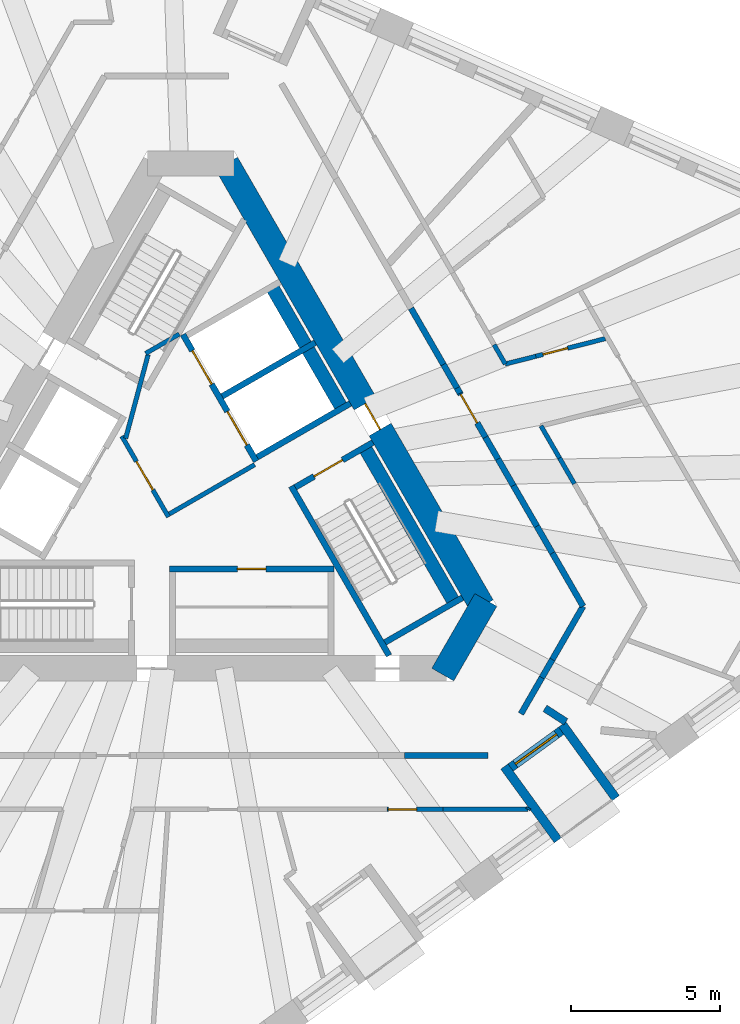
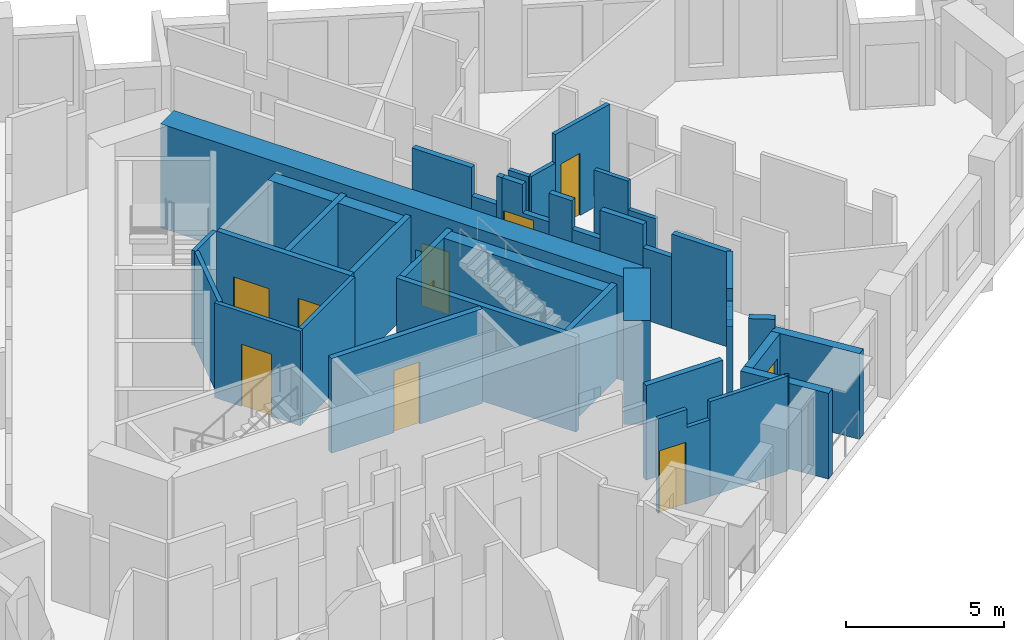
# One storey, part 5 of 14: 40 walls, 10 doors, 10 openings.
"""IFC4 building model written with IfcOpenShell, lengths in metres."""

from ifc_helpers import new_model, si_unit, direction, frame, frame_2d, origin, place, context, subcontext, project, spatial, polyline, rectangle, outline, extrude, material, layer, layer_set, type_object, element, fill, save


model = new_model("IFC4")

# Units and contexts
model_context = context("Model", 3, precision=1e-05, world=origin(), true_north=direction((0.0, 1.0)))
body_context = subcontext(model_context, "Body", "Model", "MODEL_VIEW")
ifc_project = project(units=[si_unit("LENGTHUNIT", "METRE"), si_unit("AREAUNIT", "SQUARE_METRE"), si_unit("VOLUMEUNIT", "CUBIC_METRE"), si_unit("PLANEANGLEUNIT", "RADIAN"), si_unit("MASSUNIT", "GRAM", prefix="KILO")], contexts=[model_context])

# Site, building, storey
site_placement = place(None, origin())
site = spatial("IfcSite", under=ifc_project, at=site_placement, CompositionType="ELEMENT")
building_placement = place(site_placement, origin())
building = spatial("IfcBuilding", under=site, at=building_placement, Name="Tramontana Tower", CompositionType="ELEMENT")
storey_placement = place(building_placement, frame((0.0, 0.0, 186.800048828125)))
storey = spatial("IfcBuildingStorey", under=building, at=storey_placement, Name="L43", CompositionType="ELEMENT", Elevation=186.800048828125)

# Wall
ifc_material_1 = material(Name="Concrete 70 MPa", Category="concrete")
ifc_layer_1 = layer(ifc_material_1, 0.85009765625)
ifc_layer_set_1 = layer_set([ifc_layer_1], Name="Core wall 850 70 MPa")
wall_type_1 = type_object("IfcWallType", Name="Core wall 850 70 MPa", PredefinedType="SHEAR", material=ifc_layer_set_1)
wall_1_placement = place(storey_placement, frame((8.4365234375, -6.53759765625, 0.0), z_axis=(0.0, 0.0, 1.0), x_axis=(0.499995765644, 0.866027848477, 0.0)))
element("IfcWall", 1, at=wall_1_placement, inside=storey, type_object=wall_type_1, Name="Core wall C4 L43", PredefinedType="SHEAR", context=body_context, shape_type="SweptSolid", body=[
    extrude(rectangle(XDim=2.88671875, YDim=0.85009765625, at=frame_2d((1.443359375, 0.0))), origin(), (0.0, 0.0, 1.0), 4.0),
])

# Wall, opening, door
wall_2_placement = place(storey_placement, frame((9.757080078125, -4.25, 0.0), z_axis=(0.0, 0.0, 1.0), x_axis=(-0.499995289315, 0.866028123483, 0.0)))
wall_2 = element("IfcWall", 2, at=wall_2_placement, inside=storey, type_object=wall_type_1, Name="Core wall C5 L43", PredefinedType="SHEAR", context=body_context, shape_type="SweptSolid", body=[
    extrude(rectangle(XDim=17.118408203125, YDim=0.85009765625, at=frame_2d((8.55908203125, 0.0))), origin(), (0.0, 0.0, 1.0), 4.0),
])
opening_1_placement = place(wall_2_placement, frame((6.834228515625, 0.0, 0.0)))
opening_1 = element("IfcOpeningElement", 3, at=opening_1_placement, cuts=wall_2, Name="Opening RG3", PredefinedType="OPENING", context=body_context, shape_type="SweptSolid", body=[
    extrude(rectangle(XDim=1.0, YDim=2.39990234375, at=frame_2d((0.5, 1.199951171875))), frame((0.0, 0.43505859375, 0.0), z_axis=(0.0, -1.0, 0.0), x_axis=(1.0, 0.0, 0.0)), (0.0, 0.0, 1.0), 0.8701171875),
])
ifc_material_2 = material(Name="Painted steel", Category="steel")
door_type_1 = type_object("IfcDoorType", Name="RING DOOR 1000", OperationType="SINGLE_SWING_LEFT", PredefinedType="DOOR", material=ifc_material_2)
door_1_placement = place(opening_1_placement, origin())
door_1 = element("IfcDoor", 4, at=door_1_placement, inside=storey, type_object=door_type_1, Name="Door RG3", OperationType="SINGLE_SWING_RIGHT", OverallHeight=2.39990234375, OverallWidth=1.0, PredefinedType="DOOR", context=body_context, shape_type="SweptSolid", body=[
    extrude(rectangle(XDim=1.0, YDim=2.39990234375, at=frame_2d((0.5, 1.199951171875))), frame((0.0, 0.02490234375, 0.0), z_axis=(0.0, -1.0, 0.0), x_axis=(1.0, 0.0, 0.0)), (0.0, 0.0, 1.0), 0.050048828125),
])
fill(opening_1, door_1)

# Walls
ifc_material_3 = material(Name="Blockwork", Category="masonry")
ifc_layer_2 = layer(ifc_material_3, 0.199951171875)
ifc_layer_set_2 = layer_set([ifc_layer_2], Name="ENTRY WALL 200")
wall_type_2 = type_object("IfcWallType", Name="ENTRY WALL 200", PredefinedType="SOLIDWALL", material=ifc_layer_set_2)
wall_3_placement = place(storey_placement, frame((7.37548828125, 5.725341796875, 0.0), z_axis=(0.0, 0.0, 1.0), x_axis=(0.499975720793, -0.866039420937, 0.0)))
element("IfcWall", 5, at=wall_3_placement, inside=storey, type_object=wall_type_2, Name="Wall v42-ew0-4", PredefinedType="SOLIDWALL", context=body_context, shape_type="SweptSolid", body=[
    extrude(rectangle(XDim=2.16943359375, YDim=0.199951171875, at=frame_2d((1.084716796875, 0.0))), origin(), (0.0, 0.0, 1.0), 3.64990234375),
])
wall_4_placement = place(storey_placement, frame((8.460205078125, 3.846435546875, 0.0), z_axis=(0.0, 0.0, 1.0), x_axis=(0.499977996243, -0.866038107287, 0.0)))
element("IfcWall", 6, at=wall_4_placement, inside=storey, type_object=wall_type_2, Name="Wall v42-ew0-5", PredefinedType="SOLIDWALL", context=body_context, shape_type="SweptSolid", body=[
    extrude(rectangle(XDim=0.90966796875, YDim=0.199951171875, at=frame_2d((0.454833984375, 0.0))), origin(), (0.0, 0.0, 1.0), 2.550048828125),
])
wall_5_placement = place(storey_placement, frame((8.9150390625, 3.05859375, 0.0), z_axis=(0.0, 0.0, 1.0), x_axis=(0.500074377092, -0.865982457891, 0.0)))
element("IfcWall", 7, at=wall_5_placement, inside=storey, type_object=wall_type_2, Name="Wall v42-ew0-6", PredefinedType="SOLIDWALL", context=body_context, shape_type="SweptSolid", body=[
    extrude(rectangle(XDim=0.2001953125, YDim=0.199951171875, at=frame_2d((0.10009765625, 0.0))), origin(), (0.0, 0.0, 1.0), 3.64990234375),
])

# Wall, opening, door
wall_6_placement = place(storey_placement, frame((9.01513671875, 2.88525390625, 0.0), z_axis=(0.0, 0.0, 1.0), x_axis=(0.500036553983, -0.866004298304, 0.0)))
wall_6 = element("IfcWall", 8, at=wall_6_placement, inside=storey, type_object=wall_type_2, Name="Wall v42-ew0-7", PredefinedType="SOLIDWALL", context=body_context, shape_type="SweptSolid", body=[
    extrude(outline(polyline([(0.0, 0.0), (1.704345703125, 0.0), (1.7041015625, 2.550048828125), (0.750732421875, 2.550048828125), (0.750732421875, 3.64990234375), (0.0, 3.64990234375), (0.0, 0.0)])), frame((0.0, 0.10009765625, 0.0), z_axis=(0.0, -1.0, 0.0), x_axis=(1.0, 0.0, 0.0)), (0.0, 0.0, 1.0), 0.199951171875),
])
opening_2_placement = place(wall_6_placement, frame((0.050048828125, 0.0, 0.0)))
opening_2 = element("IfcOpeningElement", 9, at=opening_2_placement, cuts=wall_6, Name="Opening B4C-21", PredefinedType="OPENING", context=body_context, shape_type="SweptSolid", body=[
    extrude(rectangle(XDim=1.10009765625, YDim=2.39990234375, at=frame_2d((0.550048828125, 1.199951171875))), frame((0.0, 0.10986328125, 0.0), z_axis=(0.0, -1.0, 0.0), x_axis=(1.0, 0.0, 0.0)), (0.0, 0.0, 1.0), 0.219970703125),
])
ifc_material_4 = material(Name="Painted timber", Category="wood")
door_type_2 = type_object("IfcDoorType", Name="DOOR ENTRY 1100", OperationType="SINGLE_SWING_LEFT", PredefinedType="DOOR", material=ifc_material_4)
door_2_placement = place(opening_2_placement, origin())
door_2 = element("IfcDoor", 10, at=door_2_placement, inside=storey, type_object=door_type_2, Name="Door B4C-21", OperationType="SINGLE_SWING_LEFT", OverallHeight=2.39990234375, OverallWidth=1.10009765625, PredefinedType="DOOR", context=body_context, shape_type="SweptSolid", body=[
    extrude(rectangle(XDim=1.10009765625, YDim=2.39990234375, at=frame_2d((0.550048828125, 1.199951171875))), frame((0.0, 0.02490234375, 0.0), z_axis=(0.0, -1.0, 0.0), x_axis=(1.0, 0.0, 0.0)), (0.0, 0.0, 1.0), 0.050048828125),
])
fill(opening_2, door_2)

# Walls
wall_7_placement = place(storey_placement, frame((9.867431640625, 1.4091796875, 0.0), z_axis=(0.0, 0.0, 1.0), x_axis=(0.499822960955, -0.8661275932, 0.0)))
element("IfcWall", 11, at=wall_7_placement, inside=storey, type_object=wall_type_2, Name="Wall v42-ew0-8", PredefinedType="SOLIDWALL", context=body_context, shape_type="SweptSolid", body=[
    extrude(rectangle(XDim=0.841064453125, YDim=0.199951171875, at=frame_2d((0.42041015625, 0.0))), origin(), (0.0, 0.0, 1.0), 3.64990234375),
])
wall_8_placement = place(storey_placement, frame((10.287841796875, 0.6806640625, 0.0), z_axis=(0.0, 0.0, 1.0), x_axis=(0.500079402778, -0.865979555715, 0.0)))
element("IfcWall", 12, at=wall_8_placement, inside=storey, type_object=wall_type_2, Name="Wall v42-ew0-9", PredefinedType="SOLIDWALL", context=body_context, shape_type="SweptSolid", body=[
    extrude(rectangle(XDim=1.026123046875, YDim=0.199951171875, at=frame_2d((0.51318359375, 0.0))), origin(), (0.0, 0.0, 1.0), 2.550048828125),
])
wall_9_placement = place(storey_placement, frame((10.801025390625, -0.2080078125, 0.0), z_axis=(0.0, 0.0, 1.0), x_axis=(0.500031717574, -0.86600709086, 0.0)))
element("IfcWall", 13, at=wall_9_placement, inside=storey, type_object=wall_type_2, Name="Wall v42-ew0-10", PredefinedType="SOLIDWALL", context=body_context, shape_type="SweptSolid", body=[
    extrude(rectangle(XDim=1.57177734375, YDim=0.199951171875, at=frame_2d((0.785888671875, 0.0))), origin(), (0.0, 0.0, 1.0), 3.64990234375),
])
wall_10_placement = place(storey_placement, frame((11.5869140625, -1.569091796875, 0.0), z_axis=(0.0, 0.0, 1.0), x_axis=(0.500054530113, -0.86599391852, 0.0)))
element("IfcWall", 14, at=wall_10_placement, inside=storey, type_object=wall_type_2, Name="Wall v42-ew0-11", PredefinedType="SOLIDWALL", context=body_context, shape_type="SweptSolid", body=[
    extrude(rectangle(XDim=1.03955078125, YDim=0.199951171875, at=frame_2d((0.519775390625, 0.0))), origin(), (0.0, 0.0, 1.0), 2.75),
])
wall_11_placement = place(storey_placement, frame((12.106689453125, -2.46923828125, 0.0), z_axis=(0.0, 0.0, 1.0), x_axis=(0.499982825521, -0.866035319247, 0.0)))
element("IfcWall", 15, at=wall_11_placement, inside=storey, type_object=wall_type_2, Name="Wall v42-ew0-12", PredefinedType="SOLIDWALL", context=body_context, shape_type="SweptSolid", body=[
    extrude(rectangle(XDim=2.05615234375, YDim=0.199951171875, at=frame_2d((1.028076171875, 0.0))), origin(), (0.0, 0.0, 1.0), 3.64990234375),
])
wall_12_placement = place(storey_placement, frame((13.134765625, -4.25, 0.0), z_axis=(0.0, 0.0, 1.0), x_axis=(-0.500030520673, -0.866007781949, 0.0)))
element("IfcWall", 16, at=wall_12_placement, inside=storey, type_object=wall_type_2, Name="Wall v42-ew1-0", PredefinedType="SOLIDWALL", context=body_context, shape_type="SweptSolid", body=[
    extrude(rectangle(XDim=2.057861328125, YDim=0.199951171875, at=frame_2d((1.02880859375, 0.0))), origin(), (0.0, 0.0, 1.0), 3.64990234375),
])
wall_13_placement = place(storey_placement, frame((12.105712890625, -6.0322265625, 0.0), z_axis=(0.0, 0.0, 1.0), x_axis=(-0.49996389635, -0.866046247233, 0.0)))
element("IfcWall", 17, at=wall_13_placement, inside=storey, type_object=wall_type_2, Name="Wall v42-ew1-1", PredefinedType="SOLIDWALL", context=body_context, shape_type="SweptSolid", body=[
    extrude(rectangle(XDim=0.7001953125, YDim=0.199951171875, at=frame_2d((0.35009765625, 0.0))), origin(), (0.0, 0.0, 1.0), 2.949951171875),
])
wall_14_placement = place(storey_placement, frame((11.755615234375, -6.638671875, 0.0), z_axis=(0.0, 0.0, 1.0), x_axis=(-0.49998411664, -0.866034573852, 0.0)))
element("IfcWall", 18, at=wall_14_placement, inside=storey, type_object=wall_type_2, Name="Wall v42-ew1-2", PredefinedType="SOLIDWALL", context=body_context, shape_type="SweptSolid", body=[
    extrude(rectangle(XDim=1.39990234375, YDim=0.199951171875, at=frame_2d((0.699951171875, 0.0))), origin(), (0.0, 0.0, 1.0), 3.64990234375),
])
wall_15_placement = place(storey_placement, frame((9.95166015625, -9.25, 0.0), z_axis=(0.0, 0.0, 1.0), x_axis=(-1.0, 0.0, 0.0)))
element("IfcWall", 19, at=wall_15_placement, inside=storey, type_object=wall_type_2, Name="Wall v42-ew2-0", PredefinedType="SOLIDWALL", context=body_context, shape_type="SweptSolid", body=[
    extrude(rectangle(XDim=2.798583984375, YDim=0.199951171875, at=frame_2d((1.3994140625, 0.0))), origin(), (0.0, 0.0, 1.0), 3.64990234375),
])

# Wall, opening, door
ifc_material_5 = material(Name="Precast concrete 60 MPa", Category="concrete")
ifc_layer_3 = layer(ifc_material_5, 0.300048828125)
ifc_layer_set_3 = layer_set([ifc_layer_3], Name="LW1 Stone-faced loggia wall 300")
wall_type_3 = type_object("IfcWallType", Name="LW1 Stone-faced loggia wall 300", PredefinedType="SOLIDWALL", material=ifc_layer_set_3)
wall_16_placement = place(storey_placement, frame((10.710205078125, -9.647216796875, 0.0), z_axis=(0.0, 0.0, 1.0), x_axis=(0.808972932648, 0.587845893277, 0.0)))
wall_16 = element("IfcWall", 20, at=wall_16_placement, inside=storey, type_object=wall_type_3, Name="Loggia wall L43 G4S1.10", PredefinedType="SOLIDWALL", context=body_context, shape_type="SweptSolid", body=[
    extrude(rectangle(XDim=2.094482421875, YDim=0.300048828125, at=frame_2d((1.04736328125, 0.0))), origin(), (0.0, 0.0, 1.0), 3.300048828125),
])
opening_3_placement = place(wall_16_placement, frame((0.197265625, 0.0, 0.0)))
opening_3 = element("IfcOpeningElement", 21, at=opening_3_placement, cuts=wall_16, Name="Opening BD-4S1-10", PredefinedType="OPENING", context=body_context, shape_type="SweptSolid", body=[
    extrude(rectangle(XDim=1.699951171875, YDim=2.449951171875, at=frame_2d((0.85009765625, 1.22509765625))), frame((0.0, 0.159912109375, 0.0), z_axis=(0.0, -1.0, 0.0), x_axis=(1.0, 0.0, 0.0)), (0.0, 0.0, 1.0), 0.320068359375),
])
ifc_material_6 = material(Name="Aluminum frame, double glazing unit", Category="aluminium")
door_type_3 = type_object("IfcDoorType", Name="BD2 Sliding door 1.7 x 2.45", OperationType="SLIDING_TO_LEFT", PredefinedType="DOOR", material=ifc_material_6)
door_3_placement = place(opening_3_placement, origin())
door_3 = element("IfcDoor", 22, at=door_3_placement, inside=storey, type_object=door_type_3, Name="Loggia door L43 G4S1.10", OperationType="SLIDING_TO_LEFT", OverallHeight=2.449951171875, OverallWidth=1.699951171875, PredefinedType="DOOR", context=body_context, shape_type="SweptSolid", body=[
    extrude(rectangle(XDim=1.699951171875, YDim=2.449951171875, at=frame_2d((0.85009765625, 1.22509765625))), frame((0.0, 0.02490234375, 0.0), z_axis=(0.0, -1.0, 0.0), x_axis=(1.0, 0.0, 0.0)), (0.0, 0.0, 1.0), 0.050048828125),
])
fill(opening_3, door_3)

# Walls
for number, where, z_axis, x_axis, name in (
    (23, (12.29345703125, -12.08154296875, 0.0), (0.0, 0.0, 1.0), (-0.587776590479, 0.80902328748, 0.0), "Loggia return L43 G4S1.10a"),
    (24, (14.23046875, -10.674072265625, 0.0), (0.0, 0.0, 1.0), (-0.587776590479, 0.80902328748, 0.0), "Loggia return L43 G4S1.10b"),
):
    element("IfcWall", number, at=place(storey_placement, frame(where, z_axis=z_axis, x_axis=x_axis)), inside=storey, type_object=wall_type_3, Name=name, PredefinedType="SOLIDWALL", context=body_context, shape_type="SweptSolid", body=[
        extrude(rectangle(XDim=3.050048828125, YDim=0.300048828125, at=frame_2d((1.52490234375, 0.0))), origin(), (0.0, 0.0, 1.0), 3.300048828125),
    ])

# Wall, opening, door
ifc_material_7 = material(Name="Gypsum board partition")
ifc_layer_4 = layer(ifc_material_7, 0.14990234375)
ifc_layer_set_4 = layer_set([ifc_layer_4], Name="PARTITION 150")
wall_type_4 = type_object("IfcWallType", Name="PARTITION 150", PredefinedType="PARTITIONING", material=ifc_layer_set_4)
wall_17_placement = place(storey_placement, frame((-0.744140625, -1.260986328125, 0.0), z_axis=(0.0, 0.0, 1.0), x_axis=(-0.500004234368, 0.866022959057, 0.0)))
wall_17 = element("IfcWall", 25, at=wall_17_placement, inside=storey, type_object=wall_type_4, Name="Wall ff-front", PredefinedType="PARTITIONING", context=body_context, shape_type="SweptSolid", body=[
    extrude(rectangle(XDim=3.125, YDim=0.14990234375, at=frame_2d((1.5625, 0.0))), origin(), (0.0, 0.0, 1.0), 3.64990234375),
])
opening_4_placement = place(wall_17_placement, frame((1.050048828125, 0.0, 0.0)))
opening_4 = element("IfcOpeningElement", 26, at=opening_4_placement, cuts=wall_17, Name="Opening FD1", PredefinedType="OPENING", context=body_context, shape_type="SweptSolid", body=[
    extrude(rectangle(XDim=1.10009765625, YDim=2.39990234375, at=frame_2d((0.550048828125, 1.199951171875))), frame((0.0, 0.0849609375, 0.0), z_axis=(0.0, -1.0, 0.0), x_axis=(1.0, 0.0, 0.0)), (0.0, 0.0, 1.0), 0.169921875),
])
door_4_placement = place(opening_4_placement, origin())
door_4 = element("IfcDoor", 27, at=door_4_placement, inside=storey, type_object=door_type_2, Name="Door FD1", OperationType="SINGLE_SWING_LEFT", OverallHeight=2.39990234375, OverallWidth=1.10009765625, PredefinedType="DOOR", context=body_context, shape_type="SweptSolid", body=[
    extrude(rectangle(XDim=1.10009765625, YDim=2.39990234375, at=frame_2d((0.550048828125, 1.199951171875))), frame((0.0, 0.02490234375, 0.0), z_axis=(0.0, -1.0, 0.0), x_axis=(1.0, 0.0, 0.0)), (0.0, 0.0, 1.0), 0.050048828125),
])
fill(opening_4, door_4)

# Walls
wall_18_placement = place(storey_placement, frame((-0.716796875, -1.15869140625, 0.0), z_axis=(0.0, 0.0, 1.0), x_axis=(0.866008176907, 0.50002983664, 0.0)))
element("IfcWall", 28, at=wall_18_placement, inside=storey, type_object=wall_type_4, Name="Wall ff-end0", PredefinedType="PARTITIONING", context=body_context, shape_type="SweptSolid", body=[
    extrude(rectangle(XDim=3.300048828125, YDim=0.14990234375, at=frame_2d((1.64990234375, 0.0))), origin(), (0.0, 0.0, 1.0), 3.64990234375),
])
wall_19_placement = place(storey_placement, frame((-2.177978515625, 1.372314453125, 0.0), z_axis=(0.0, 0.0, 1.0), x_axis=(0.258808958833, 0.96592852884, 0.0)))
element("IfcWall", 29, at=wall_19_placement, inside=storey, type_object=wall_type_4, Name="Wall ff-diag", PredefinedType="PARTITIONING", context=body_context, shape_type="SweptSolid", body=[
    extrude(rectangle(XDim=2.902587890625, YDim=0.14990234375, at=frame_2d((1.451171875, 0.0))), origin(), (0.0, 0.0, 1.0), 3.64990234375),
])
wall_20_placement = place(storey_placement, frame((-1.509765625, 4.21484375, 0.0), z_axis=(0.0, 0.0, 1.0), x_axis=(0.866085525409, 0.49989585183, 0.0)))
element("IfcWall", 30, at=wall_20_placement, inside=storey, type_object=wall_type_4, Name="Wall ff-end1", PredefinedType="PARTITIONING", context=body_context, shape_type="SweptSolid", body=[
    extrude(rectangle(XDim=1.300048828125, YDim=0.14990234375, at=frame_2d((0.64990234375, 0.0))), origin(), (0.0, 0.0, 1.0), 3.64990234375),
])
wall_21_placement = place(storey_placement, frame((10.1572265625, 4.50732421875, 0.0), z_axis=(0.0, 0.0, 1.0), x_axis=(0.499901701094, -0.866082149246, 0.0)))
element("IfcWall", 31, at=wall_21_placement, inside=storey, type_object=wall_type_4, Name="Wall v42-pw26-5", PredefinedType="PARTITIONING", context=body_context, shape_type="SweptSolid", body=[
    extrude(rectangle(XDim=0.746826171875, YDim=0.14990234375, at=frame_2d((0.37353515625, 0.0))), origin(), (0.0, 0.0, 1.0), 2.550048828125),
])
wall_22_placement = place(storey_placement, frame((10.530517578125, 3.860595703125, 0.0), z_axis=(0.0, 0.0, 1.0), x_axis=(0.969236906861, 0.246129677973, 0.0)))
element("IfcWall", 32, at=wall_22_placement, inside=storey, type_object=wall_type_4, Name="Wall v42-pw29-0", PredefinedType="PARTITIONING", context=body_context, shape_type="SweptSolid", body=[
    extrude(rectangle(XDim=1.054443359375, YDim=0.14990234375, at=frame_2d((0.52734375, 0.0))), origin(), (0.0, 0.0, 1.0), 2.550048828125),
])

# Wall, opening, door
wall_23_placement = place(storey_placement, frame((11.552490234375, 4.1201171875, 0.0), z_axis=(0.0, 0.0, 1.0), x_axis=(0.969232309968, 0.246147779423, 0.0)))
wall_23 = element("IfcWall", 33, at=wall_23_placement, inside=storey, type_object=wall_type_4, Name="Wall v42-pw29-1", PredefinedType="PARTITIONING", context=body_context, shape_type="SweptSolid", body=[
    extrude(rectangle(XDim=2.400146484375, YDim=0.14990234375, at=frame_2d((1.2001953125, 0.0))), origin(), (0.0, 0.0, 1.0), 3.64990234375),
])
opening_5_placement = place(wall_23_placement, frame((0.248046875, 0.0, 0.0)))
opening_5 = element("IfcOpeningElement", 34, at=opening_5_placement, cuts=wall_23, Name="Opening B4C-13", PredefinedType="OPENING", context=body_context, shape_type="SweptSolid", body=[
    extrude(rectangle(XDim=0.85009765625, YDim=2.39990234375, at=frame_2d((0.425048828125, 1.199951171875))), frame((0.0, 0.0849609375, 0.0), z_axis=(0.0, -1.0, 0.0), x_axis=(1.0, 0.0, 0.0)), (0.0, 0.0, 1.0), 0.169921875),
])
ifc_material_8 = material(Name="Painted timber", Category="wood")
door_type_4 = type_object("IfcDoorType", Name="DOOR BATH 850", OperationType="SINGLE_SWING_LEFT", PredefinedType="DOOR", material=ifc_material_8)
door_5_placement = place(opening_5_placement, origin())
door_5 = element("IfcDoor", 35, at=door_5_placement, inside=storey, type_object=door_type_4, Name="Door B4C-13", OperationType="SINGLE_SWING_LEFT", OverallHeight=2.39990234375, OverallWidth=0.85009765625, PredefinedType="DOOR", context=body_context, shape_type="SweptSolid", body=[
    extrude(rectangle(XDim=0.85009765625, YDim=2.39990234375, at=frame_2d((0.425048828125, 1.199951171875))), frame((0.0, 0.02490234375, 0.0), z_axis=(0.0, -1.0, 0.0), x_axis=(1.0, 0.0, 0.0)), (0.0, 0.0, 1.0), 0.050048828125),
])
fill(opening_5, door_5)

# Wall
wall_24_placement = place(storey_placement, frame((11.287109375, -11.050048828125, 0.0), z_axis=(0.0, 0.0, 1.0), x_axis=(-1.0, 0.0, 0.0)))
element("IfcWall", 36, at=wall_24_placement, inside=storey, type_object=wall_type_4, Name="Wall v42-pw31-0", PredefinedType="PARTITIONING", context=body_context, shape_type="SweptSolid", body=[
    extrude(rectangle(XDim=2.841552734375, YDim=0.14990234375, at=frame_2d((1.4208984375, 0.0))), origin(), (0.0, 0.0, 1.0), 3.64990234375),
])

# Wall, opening, door
wall_25_placement = place(storey_placement, frame((8.445556640625, -11.050048828125, 0.0), z_axis=(0.0, 0.0, 1.0), x_axis=(-1.0, 0.0, 0.0)))
wall_25 = element("IfcWall", 37, at=wall_25_placement, inside=storey, type_object=wall_type_4, Name="Wall v42-pw31-1", PredefinedType="PARTITIONING", context=body_context, shape_type="SweptSolid", body=[
    extrude(outline(polyline([(0.0, 0.0), (1.880615234375, 0.0), (1.88037109375, 3.64990234375), (0.834228515625, 3.64990234375), (0.834228515625, 2.949951171875), (0.0, 2.949951171875), (0.0, 0.0)])), frame((0.0, 0.074951171875, 0.0), z_axis=(0.0, -1.0, 0.0), x_axis=(1.0, 0.0, 0.0)), (0.0, 0.0, 1.0), 0.14990234375),
])
opening_6_placement = place(wall_25_placement, frame((0.88037109375, 0.0, 0.0)))
opening_6 = element("IfcOpeningElement", 38, at=opening_6_placement, cuts=wall_25, Name="Opening B4C-10", PredefinedType="OPENING", context=body_context, shape_type="SweptSolid", body=[
    extrude(rectangle(XDim=0.949951171875, YDim=2.39990234375, at=frame_2d((0.47509765625, 1.199951171875))), frame((0.0, 0.0849609375, 0.0), z_axis=(0.0, -1.0, 0.0), x_axis=(1.0, 0.0, 0.0)), (0.0, 0.0, 1.0), 0.169921875),
])
ifc_material_9 = material(Name="Painted timber", Category="wood")
door_type_5 = type_object("IfcDoorType", Name="DOOR ROOM 950", OperationType="SINGLE_SWING_LEFT", PredefinedType="DOOR", material=ifc_material_9)
door_6_placement = place(opening_6_placement, origin())
door_6 = element("IfcDoor", 39, at=door_6_placement, inside=storey, type_object=door_type_5, Name="Door B4C-10", OperationType="SINGLE_SWING_RIGHT", OverallHeight=2.39990234375, OverallWidth=0.949951171875, PredefinedType="DOOR", context=body_context, shape_type="SweptSolid", body=[
    extrude(rectangle(XDim=0.949951171875, YDim=2.39990234375, at=frame_2d((0.47509765625, 1.199951171875))), frame((0.0, 0.02490234375, 0.0), z_axis=(0.0, -1.0, 0.0), x_axis=(1.0, 0.0, 0.0)), (0.0, 0.0, 1.0), 0.050048828125),
])
fill(opening_6, door_6)

# Walls
wall_26_placement = place(storey_placement, frame((11.31884765625, -10.995361328125, 0.0), z_axis=(0.0, 0.0, 1.0), x_axis=(-0.500730218626, -0.865603401191, 0.0)))
element("IfcWall", 40, at=wall_26_placement, inside=storey, type_object=wall_type_4, Name="Wall v42-pw32", PredefinedType="PARTITIONING", context=body_context, shape_type="SweptSolid", body=[
    extrude(rectangle(XDim=0.06298828125, YDim=0.14990234375, at=frame_2d((0.031494140625, 0.0))), origin(), (0.0, 0.0, 1.0), 3.64990234375),
])
wall_27_placement = place(storey_placement, frame((11.725341796875, 1.791015625, 0.0), z_axis=(0.0, 0.0, 1.0), x_axis=(0.499983108224, -0.866035156036, 0.0)))
element("IfcWall", 41, at=wall_27_placement, inside=storey, type_object=wall_type_4, Name="Wall v42-pw34-0", PredefinedType="PARTITIONING", context=body_context, shape_type="SweptSolid", body=[
    extrude(rectangle(XDim=1.2431640625, YDim=0.14990234375, at=frame_2d((0.62158203125, 0.0))), origin(), (0.0, 0.0, 1.0), 3.64990234375),
])
wall_28_placement = place(storey_placement, frame((12.346923828125, 0.71435546875, 0.0), z_axis=(0.0, 0.0, 1.0), x_axis=(0.499955472713, -0.866051110099, 0.0)))
element("IfcWall", 42, at=wall_28_placement, inside=storey, type_object=wall_type_4, Name="Wall v42-pw34-1", PredefinedType="PARTITIONING", context=body_context, shape_type="SweptSolid", body=[
    extrude(rectangle(XDim=0.99755859375, YDim=0.14990234375, at=frame_2d((0.498779296875, 0.0))), origin(), (0.0, 0.0, 1.0), 2.550048828125),
])
ifc_material_10 = material(Name="Blockwork", Category="masonry")
ifc_layer_5 = layer(ifc_material_10, 0.25)
ifc_layer_set_5 = layer_set([ifc_layer_5], Name="PARTY WALL 250")
wall_type_5 = type_object("IfcWallType", Name="PARTY WALL 250", PredefinedType="SOLIDWALL", material=ifc_layer_set_5)
wall_29_placement = place(storey_placement, frame((11.85986328125, -7.66650390625, 0.0), z_axis=(0.0, 0.0, 1.0), x_axis=(0.839861138507, -0.542801315424, 0.0)))
element("IfcWall", 43, at=wall_29_placement, inside=storey, type_object=wall_type_5, Name="Wall v42-pw36", PredefinedType="SOLIDWALL", context=body_context, shape_type="SweptSolid", body=[
    extrude(rectangle(XDim=0.83251953125, YDim=0.25, at=frame_2d((0.416259765625, 0.0))), origin(), (0.0, 0.0, 1.0), 3.64990234375),
])
ifc_material_11 = material(Name="Concrete 70 MPa", Category="concrete")
ifc_layer_6 = layer(ifc_material_11, 0.449951171875)
ifc_layer_set_6 = layer_set([ifc_layer_6], Name="Concrete 70 MPa, 450 mm")
wall_type_6 = type_object("IfcWallType", Name="RC SHAFT BACK WALL 450", PredefinedType="SOLIDWALL", material=ifc_layer_set_6)
wall_30_placement = place(storey_placement, frame((8.8681640625, -4.2099609375, 0.0), z_axis=(0.0, 0.0, 1.0), x_axis=(-0.500009909098, 0.866019682689, 0.0)))
element("IfcWall", 44, at=wall_30_placement, inside=storey, type_object=wall_type_6, Name="Wall st3-back", PredefinedType="SOLIDWALL", context=body_context, shape_type="SweptSolid", body=[
    extrude(rectangle(XDim=6.199951171875, YDim=0.449951171875, at=frame_2d((3.10009765625, 0.0))), origin(), (0.0, 0.0, 1.0), 3.64990234375),
])
wall_31_placement = place(storey_placement, frame((5.113037109375, 2.2939453125, 0.0), z_axis=(0.0, 0.0, 1.0), x_axis=(-0.500002801628, 0.866023786258, 0.0)))
element("IfcWall", 45, at=wall_31_placement, inside=storey, type_object=wall_type_6, Name="Wall row2-back", PredefinedType="SOLIDWALL", context=body_context, shape_type="SweptSolid", body=[
    extrude(rectangle(XDim=4.89990234375, YDim=0.449951171875, at=frame_2d((2.449951171875, 0.0))), origin(), (0.0, 0.0, 1.0), 3.64990234375),
])
ifc_material_12 = material(Name="Concrete 70 MPa", Category="concrete")
ifc_layer_7 = layer(ifc_material_12, 0.199951171875)
ifc_layer_set_7 = layer_set([ifc_layer_7], Name="Concrete 70 MPa, 200 mm")
wall_type_7 = type_object("IfcWallType", Name="RC STAIR AND SHAFT WALL 200", PredefinedType="SOLIDWALL", material=ifc_layer_set_7)
wall_32_placement = place(storey_placement, frame((6.6396484375, -5.89990234375, 0.0), z_axis=(0.0, 0.0, 1.0), x_axis=(-0.499999959354, 0.866025427251, 0.0)))
element("IfcWall", 46, at=wall_32_placement, inside=storey, type_object=wall_type_7, Name="Wall st3-front", PredefinedType="SOLIDWALL", context=body_context, shape_type="SweptSolid", body=[
    extrude(rectangle(XDim=6.54931640625, YDim=0.199951171875, at=frame_2d((3.274658203125, 0.0))), origin(), (0.0, 0.0, 1.0), 3.64990234375),
])
wall_33_placement = place(storey_placement, frame((6.50146484375, -5.4609375, 0.0), z_axis=(0.0, 0.0, 1.0), x_axis=(0.866031096941, 0.499990139034, 0.0)))
element("IfcWall", 47, at=wall_33_placement, inside=storey, type_object=wall_type_7, Name="Wall st3-far", PredefinedType="SOLIDWALL", context=body_context, shape_type="SweptSolid", body=[
    extrude(rectangle(XDim=3.0, YDim=0.199951171875, at=frame_2d((1.5, 0.0))), origin(), (0.0, 0.0, 1.0), 3.64990234375),
])

# Wall, opening, door
wall_34_placement = place(storey_placement, frame((3.50146484375, -0.2646484375, 0.0), z_axis=(0.0, 0.0, 1.0), x_axis=(0.866031096941, 0.499990139034, 0.0)))
wall_34 = element("IfcWall", 48, at=wall_34_placement, inside=storey, type_object=wall_type_7, Name="Wall st3-near", PredefinedType="SOLIDWALL", context=body_context, shape_type="SweptSolid", body=[
    extrude(rectangle(XDim=3.0, YDim=0.199951171875, at=frame_2d((1.5, 0.0))), origin(), (0.0, 0.0, 1.0), 3.64990234375),
])
opening_7_placement = place(wall_34_placement, frame((0.72509765625, 0.0, 0.0)))
opening_7 = element("IfcOpeningElement", 49, at=opening_7_placement, cuts=wall_34, Name="Opening SD3", PredefinedType="OPENING", context=body_context, shape_type="SweptSolid", body=[
    extrude(rectangle(XDim=1.10009765625, YDim=2.39990234375, at=frame_2d((0.550048828125, 1.199951171875))), frame((0.0, 0.10986328125, 0.0), z_axis=(0.0, -1.0, 0.0), x_axis=(1.0, 0.0, 0.0)), (0.0, 0.0, 1.0), 0.219970703125),
])
ifc_material_13 = material(Name="Painted steel", Category="steel")
door_type_6 = type_object("IfcDoorType", Name="STAIR DOOR 1100", OperationType="SINGLE_SWING_LEFT", PredefinedType="DOOR", material=ifc_material_13)
door_7_placement = place(opening_7_placement, origin())
door_7 = element("IfcDoor", 50, at=door_7_placement, inside=storey, type_object=door_type_6, Name="Door SD3", OperationType="SINGLE_SWING_RIGHT", OverallHeight=2.39990234375, OverallWidth=1.10009765625, PredefinedType="DOOR", context=body_context, shape_type="SweptSolid", body=[
    extrude(rectangle(XDim=1.10009765625, YDim=2.39990234375, at=frame_2d((0.550048828125, 1.199951171875))), frame((0.0, 0.02490234375, 0.0), z_axis=(0.0, -1.0, 0.0), x_axis=(1.0, 0.0, 0.0)), (0.0, 0.0, 1.0), 0.050048828125),
])
fill(opening_7, door_7)

wall_35_placement = place(storey_placement, frame((4.7900390625, -3.0, 0.0), z_axis=(0.0, 0.0, 1.0), x_axis=(-1.0, 0.0, 0.0)))
wall_35 = element("IfcWall", 51, at=wall_35_placement, inside=storey, type_object=wall_type_7, Name="Wall row1-front", PredefinedType="SOLIDWALL", context=body_context, shape_type="SweptSolid", body=[
    extrude(rectangle(XDim=5.5, YDim=0.199951171875, at=frame_2d((2.75, 0.0))), origin(), (0.0, 0.0, 1.0), 3.64990234375),
])
opening_8_placement = place(wall_35_placement, frame((2.27490234375, 0.0, 0.0)))
opening_8 = element("IfcOpeningElement", 52, at=opening_8_placement, cuts=wall_35, Name="Opening RD-1A", PredefinedType="OPENING", context=body_context, shape_type="SweptSolid", body=[
    extrude(rectangle(XDim=0.949951171875, YDim=2.39990234375, at=frame_2d((0.47509765625, 1.199951171875))), frame((0.0, 0.10986328125, 0.0), z_axis=(0.0, -1.0, 0.0), x_axis=(1.0, 0.0, 0.0)), (0.0, 0.0, 1.0), 0.219970703125),
])
door_8_placement = place(opening_8_placement, origin())
door_8 = element("IfcDoor", 53, at=door_8_placement, inside=storey, type_object=door_type_5, Name="Door RD-1A", OperationType="SINGLE_SWING_LEFT", OverallHeight=2.39990234375, OverallWidth=0.949951171875, PredefinedType="DOOR", context=body_context, shape_type="SweptSolid", body=[
    extrude(rectangle(XDim=0.949951171875, YDim=2.39990234375, at=frame_2d((0.47509765625, 1.199951171875))), frame((0.0, 0.02490234375, 0.0), z_axis=(0.0, -1.0, 0.0), x_axis=(1.0, 0.0, 0.0)), (0.0, 0.0, 1.0), 0.050048828125),
])
fill(opening_8, door_8)

# Wall, openings, doors
wall_36_placement = place(storey_placement, frame((2.190185546875, 0.6064453125, 0.0), z_axis=(0.0, 0.0, 1.0), x_axis=(-0.500002801628, 0.866023786258, 0.0)))
wall_36 = element("IfcWall", 54, at=wall_36_placement, inside=storey, type_object=wall_type_7, Name="Wall row2-front", PredefinedType="SOLIDWALL", context=body_context, shape_type="SweptSolid", body=[
    extrude(rectangle(XDim=4.89990234375, YDim=0.199951171875, at=frame_2d((2.449951171875, 0.0))), origin(), (0.0, 0.0, 1.0), 3.64990234375),
])
opening_9_placement = place(wall_36_placement, frame((0.625, 0.0, 0.0)))
opening_9 = element("IfcOpeningElement", 55, at=opening_9_placement, cuts=wall_36, Name="Opening LD-F1", PredefinedType="OPENING", context=body_context, shape_type="SweptSolid", body=[
    extrude(rectangle(XDim=1.300048828125, YDim=2.10009765625, at=frame_2d((0.64990234375, 1.050048828125))), frame((0.0, 0.10986328125, 0.0), z_axis=(0.0, -1.0, 0.0), x_axis=(1.0, 0.0, 0.0)), (0.0, 0.0, 1.0), 0.219970703125),
])
opening_10_placement = place(wall_36_placement, frame((2.97509765625, 0.0, 0.0)))
opening_10 = element("IfcOpeningElement", 56, at=opening_10_placement, cuts=wall_36, Name="Opening LD-F2", PredefinedType="OPENING", context=body_context, shape_type="SweptSolid", body=[
    extrude(rectangle(XDim=1.300048828125, YDim=2.10009765625, at=frame_2d((0.64990234375, 1.050048828125))), frame((0.0, 0.10986328125, 0.0), z_axis=(0.0, -1.0, 0.0), x_axis=(1.0, 0.0, 0.0)), (0.0, 0.0, 1.0), 0.219970703125),
])
ifc_material_14 = material(Name="Brushed steel", Category="steel")
door_type_7 = type_object("IfcDoorType", Name="LANDING DOOR 1300", OperationType="SINGLE_SWING_LEFT", PredefinedType="DOOR", material=ifc_material_14)
door_9_placement = place(opening_9_placement, origin())
door_9 = element("IfcDoor", 57, at=door_9_placement, inside=storey, type_object=door_type_7, Name="Door LD-F1", OperationType="SLIDING_TO_LEFT", OverallHeight=2.10009765625, OverallWidth=1.300048828125, PredefinedType="DOOR", context=body_context, shape_type="SweptSolid", body=[
    extrude(rectangle(XDim=1.300048828125, YDim=2.10009765625, at=frame_2d((0.64990234375, 1.050048828125))), frame((0.0, 0.02490234375, 0.0), z_axis=(0.0, -1.0, 0.0), x_axis=(1.0, 0.0, 0.0)), (0.0, 0.0, 1.0), 0.050048828125),
])
fill(opening_9, door_9)
door_10_placement = place(opening_10_placement, origin())
door_10 = element("IfcDoor", 58, at=door_10_placement, inside=storey, type_object=door_type_7, Name="Door LD-F2", OperationType="SLIDING_TO_RIGHT", OverallHeight=2.10009765625, OverallWidth=1.300048828125, PredefinedType="DOOR", context=body_context, shape_type="SweptSolid", body=[
    extrude(rectangle(XDim=1.300048828125, YDim=2.10009765625, at=frame_2d((0.64990234375, 1.050048828125))), frame((0.0, 0.02490234375, 0.0), z_axis=(0.0, -1.0, 0.0), x_axis=(1.0, 0.0, 0.0)), (0.0, 0.0, 1.0), 0.050048828125),
])
fill(opening_10, door_10)

# Walls
for number, where, z_axis, x_axis, name in (
    (59, (2.226806640625, 0.742919921875, 0.0), (0.0, 0.0, 1.0), (0.866018442252, 0.500012057535, 0.0), "Wall row2-side0"),
    (60, (1.0517578125, 2.778076171875, 0.0), (0.0, 0.0, 1.0), (0.866018442252, 0.500012057535, 0.0), "Wall row2-side1"),
):
    element("IfcWall", number, at=place(storey_placement, frame(where, z_axis=z_axis, x_axis=x_axis)), inside=storey, type_object=wall_type_7, Name=name, PredefinedType="SOLIDWALL", context=body_context, shape_type="SweptSolid", body=[
        extrude(rectangle(XDim=3.60009765625, YDim=0.199951171875, at=frame_2d((1.800048828125, 0.0))), origin(), (0.0, 0.0, 1.0), 3.64990234375),
    ])

save(model, "model.ifc")
